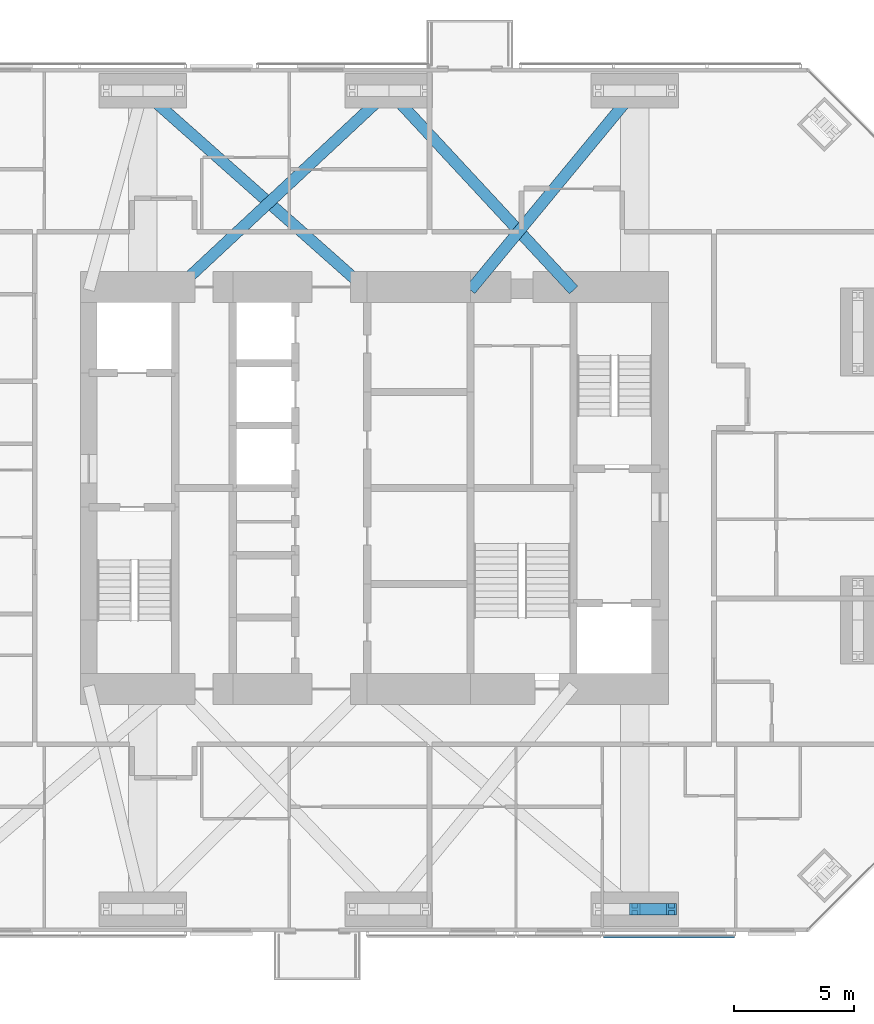
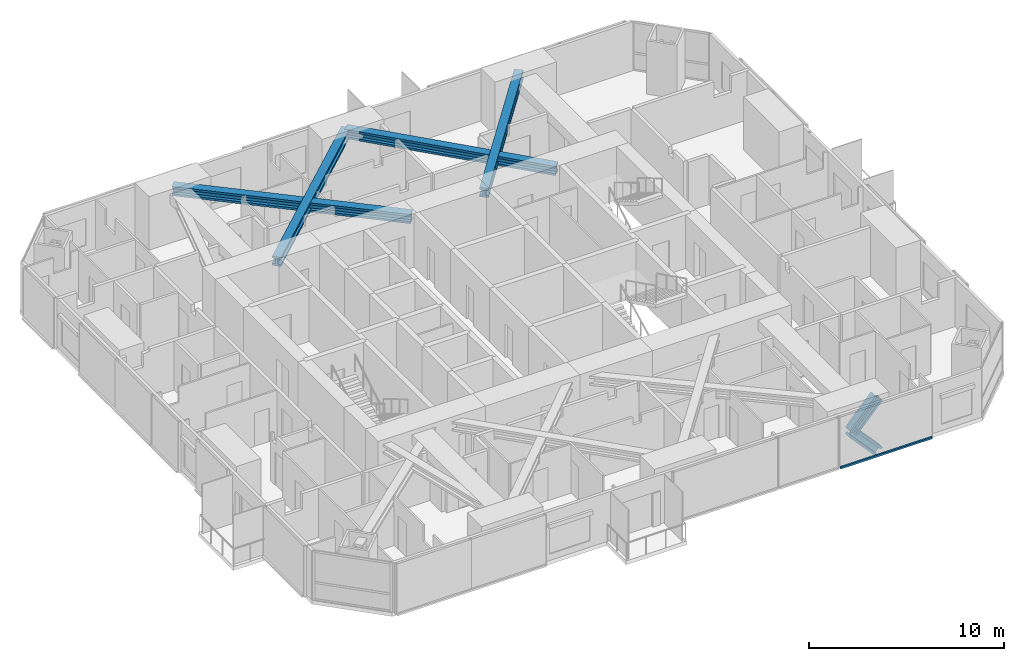
# One storey, part 8 of 22: 7 members, 1 element without a shape of its own.
"""IFC4 building model written with IfcOpenShell, lengths in metres."""

from ifc_helpers import new_model, si_unit, direction, frame, origin, origin_2d, place, context, subcontext, project, spatial, rectangle, i_section, extrude, material, material_profile, profile_set, type_object, element, aggregate, save


model = new_model("IFC4")

# Units and contexts
model_context = context("Model", 3, precision=1e-05, world=origin(), true_north=direction((0.0, 1.0)))
body_context = subcontext(model_context, "Body", "Model", "MODEL_VIEW")
ifc_project = project(units=[si_unit("LENGTHUNIT", "METRE"), si_unit("AREAUNIT", "SQUARE_METRE"), si_unit("VOLUMEUNIT", "CUBIC_METRE"), si_unit("PLANEANGLEUNIT", "RADIAN"), si_unit("MASSUNIT", "GRAM", prefix="KILO")], contexts=[model_context])

# Site, building, storey
site_placement = place(None, origin())
site = spatial("IfcSite", under=ifc_project, at=site_placement, CompositionType="ELEMENT")
building_placement = place(site_placement, origin())
building = spatial("IfcBuilding", under=site, at=building_placement, Name="Jalousie Tower", CompositionType="ELEMENT")
storey_placement = place(building_placement, frame((0.0, 0.0, 204.60009765625)))
storey = spatial("IfcBuildingStorey", under=building, at=storey_placement, Name="L56", CompositionType="ELEMENT", Elevation=204.60009765625)

# Members
ifc_material_1 = material(Name="Steel ASTM A992 Grade 50", Category="steel")
ifc_material_profile_1 = material_profile(ifc_material_1, i_section(OverallWidth=0.472412109375, OverallDepth=0.5791015625, WebThickness=0.094970703125, FlangeThickness=0.1298828125, at=origin_2d()), Name="W14X808")
ifc_profile_set_1 = profile_set([ifc_material_profile_1], Name="Steel ASTM A992 Grade 50")
member_type_1 = type_object("IfcMemberType", Name="KINK FLOOR TRUSS DIAGONAL W14X808", PredefinedType="BRACE", material=ifc_profile_set_1)
member_1_placement = place(storey_placement, frame((42.75, 35.050048828125, 2.7802734375), z_axis=(-0.636524341534, -0.7712566127, 0.0), x_axis=(0.7712566127, -0.636524341534, 0.0)))
element("IfcMember", 1, at=member_1_placement, inside=storey, type_object=member_type_1, Name="Kink floor truss L57 09 diagonal", PredefinedType="BRACE", context=body_context, shape_type="SweptSolid", body=[
    extrude(i_section(OverallWidth=0.472412109375, OverallDepth=0.5791015625, WebThickness=0.094970703125, FlangeThickness=0.1298828125, at=origin_2d()), origin(), (0.0, 0.0, 1.0), 10.76171875),
])
member_2_placement = place(storey_placement, frame((32.5, 35.050048828125, 2.7802734375), z_axis=(-0.731322730784, -0.682031570705, 0.0), x_axis=(0.682031570705, -0.731322730784, 0.0)))
element("IfcMember", 2, at=member_2_placement, inside=storey, type_object=member_type_1, Name="Kink floor truss L57 10 diagonal", PredefinedType="BRACE", context=body_context, shape_type="SweptSolid", body=[
    extrude(i_section(OverallWidth=0.472412109375, OverallDepth=0.5791015625, WebThickness=0.094970703125, FlangeThickness=0.1298828125, at=origin_2d()), origin(), (0.0, 0.0, 1.0), 12.169677734375),
])
member_3_placement = place(storey_placement, frame((32.5, 35.050048828125, 2.7802734375), z_axis=(0.680107772709, -0.733112145242, 0.0), x_axis=(0.733112145242, 0.680107772709, 0.0)))
element("IfcMember", 3, at=member_3_placement, inside=storey, type_object=member_type_1, Name="Kink floor truss L57 10 diagonal", PredefinedType="BRACE", context=body_context, shape_type="SweptSolid", body=[
    extrude(i_section(OverallWidth=0.472412109375, OverallDepth=0.5791015625, WebThickness=0.094970703125, FlangeThickness=0.1298828125, at=origin_2d()), origin(), (0.0, 0.0, 1.0), 11.32177734375),
])
member_4_placement = place(storey_placement, frame((22.25, 35.050048828125, 2.7802734375), z_axis=(0.747851948323, -0.663865546168, 0.0), x_axis=(0.663865546168, 0.747851948323, 0.0)))
element("IfcMember", 4, at=member_4_placement, inside=storey, type_object=member_type_1, Name="Kink floor truss L57 11 diagonal", PredefinedType="BRACE", context=body_context, shape_type="SweptSolid", body=[
    extrude(i_section(OverallWidth=0.472412109375, OverallDepth=0.5791015625, WebThickness=0.094970703125, FlangeThickness=0.1298828125, at=origin_2d()), origin(), (0.0, 0.0, 1.0), 12.502685546875),
])
ifc_material_2 = material(Name="Steel ASTM A992 Grade 50", Category="steel")
ifc_material_profile_2 = material_profile(ifc_material_2, i_section(OverallWidth=0.472412109375, OverallDepth=0.5791015625, WebThickness=0.094970703125, FlangeThickness=0.1298828125, at=origin_2d()), Name="W14X808")
ifc_profile_set_2 = profile_set([ifc_material_profile_2], Name="Steel ASTM A992 Grade 50")
member_type_2 = type_object("IfcMemberType", Name="PERIMETER BRACE W14X808", PredefinedType="BRACE", material=ifc_profile_set_2)
for number, where, z_axis, x_axis, name in (
    (5, (42.75, 0.949951171875, 1.074951171875), (0.673187629365, 0.0, 0.739471713908), (0.0, 1.0, 0.0), "Perimeter brace 04 L56 part 2"),
    (6, (44.27490234375, 0.949951171875, -0.60009765625), (-0.673187629365, 0.0, 0.739471713908), (0.0, -1.0, 0.0), "Perimeter brace 04 L56 part 3"),
):
    element("IfcMember", number, at=place(storey_placement, frame(where, z_axis=z_axis, x_axis=x_axis)), inside=storey, type_object=member_type_2, Name=name, PredefinedType="BRACE", context=body_context, shape_type="SweptSolid", body=[
        extrude(i_section(OverallWidth=0.472412109375, OverallDepth=0.5791015625, WebThickness=0.094970703125, FlangeThickness=0.1298828125, at=origin_2d()), origin(), (0.0, 0.0, 1.0), 2.26513671875),
    ])

# Curtain wall, member
ifc_material_3 = material(Name="Perforated aluminium sheet", Category="aluminium")
curtain_wall_type = type_object("IfcCurtainWallType", Name="SOLAR SCREEN SS-1", PredefinedType="USERDEFINED", material=ifc_material_3)
curtain_wall_placement = place(storey_placement, origin())
curtain_wall = element("IfcCurtainWall", 7, at=curtain_wall_placement, inside=storey, type_object=curtain_wall_type, Name="Solar screen L56", ObjectType="SOLAR SCREEN SS-1", PredefinedType="USERDEFINED")
ifc_material_4 = material(Name="Extruded aluminium screen rail", Category="aluminium")
ifc_material_profile_3 = material_profile(ifc_material_4, rectangle(XDim=0.1015625, YDim=0.1201171875, at=origin_2d()), Name="RAIL 102x120")
ifc_profile_set_3 = profile_set([ifc_material_profile_3], Name="Extruded aluminium screen rail")
member_type_3 = type_object("IfcMemberType", Name="SOLAR SCREEN SS-1 TRANSOM", PredefinedType="USERDEFINED", material=ifc_profile_set_3)
member_5_placement = place(storey_placement, frame((41.449951171875, -0.1982421875, -0.06005859375), z_axis=(1.0, 0.0, 0.0), x_axis=(0.0, 1.0, 0.0)))
member_5 = element("IfcMember", 8, at=member_5_placement, type_object=member_type_3, Name="SS1 rail", ObjectType="TRANSOM", PredefinedType="USERDEFINED", context=body_context, shape_type="SweptSolid", body=[
    extrude(rectangle(XDim=0.1015625, YDim=0.1201171875, at=origin_2d()), origin(), (0.0, 0.0, 1.0), 5.449951171875),
])
aggregate(curtain_wall, [member_5])

save(model, "model.ifc")
